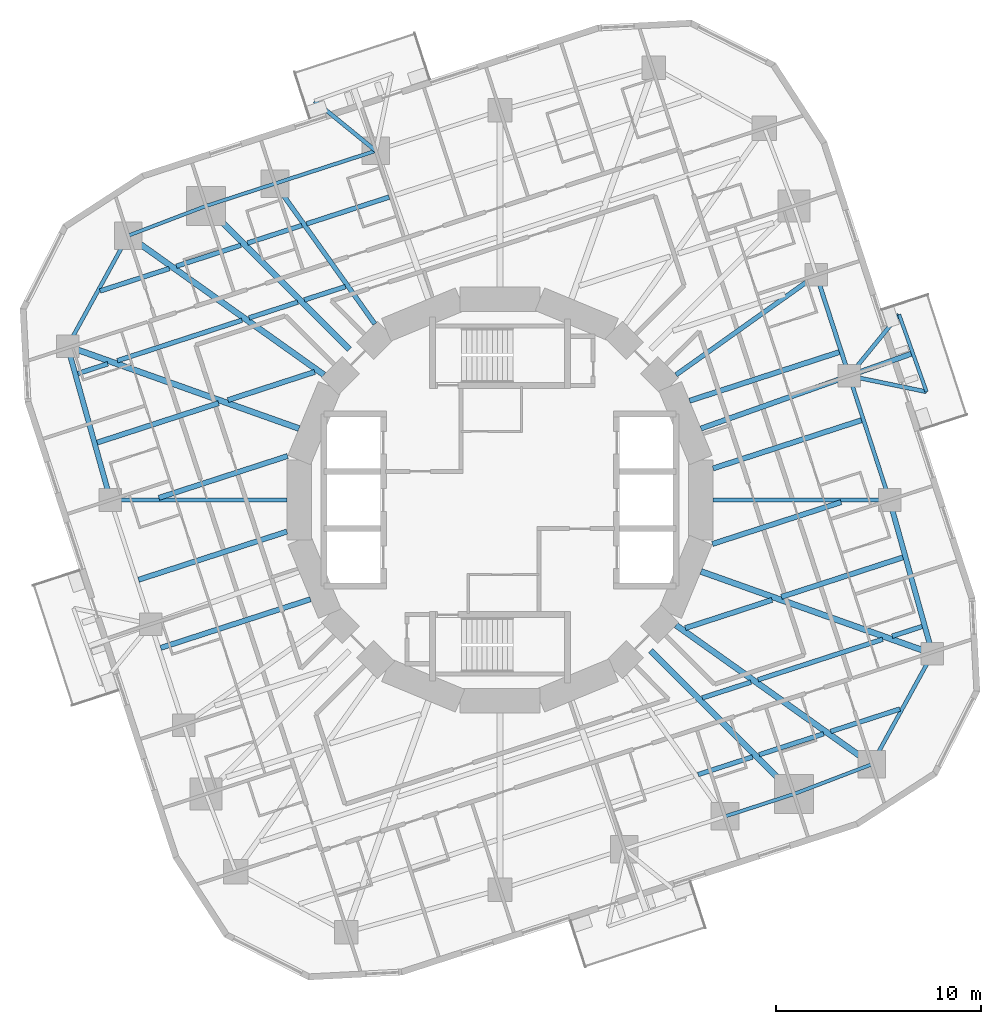
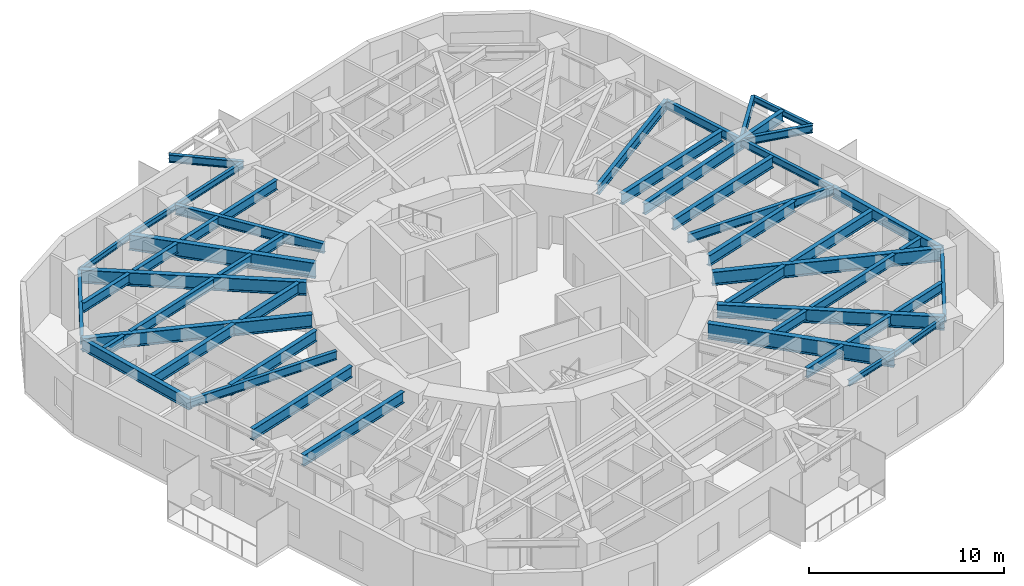
# One storey, part 2 of 12: 50 beams.
"""IFC4 building model written with IfcOpenShell, lengths in metres."""

from ifc_helpers import new_model, si_unit, direction, frame, origin, origin_2d, place, context, subcontext, project, spatial, i_section, extrude, material, material_profile, profile_set, type_object, element, save


model = new_model("IFC4")

# Units and contexts
model_context = context("Model", 3, precision=1e-05, world=origin(), true_north=direction((0.0, 1.0)))
body_context = subcontext(model_context, "Body", "Model", "MODEL_VIEW")
ifc_project = project(units=[si_unit("LENGTHUNIT", "METRE"), si_unit("AREAUNIT", "SQUARE_METRE"), si_unit("VOLUMEUNIT", "CUBIC_METRE"), si_unit("PLANEANGLEUNIT", "RADIAN"), si_unit("MASSUNIT", "GRAM", prefix="KILO")], contexts=[model_context])

# Site, building, storey
site_placement = place(None, origin())
site = spatial("IfcSite", under=ifc_project, at=site_placement, CompositionType="ELEMENT")
building_placement = place(site_placement, origin())
building = spatial("IfcBuilding", under=site, at=building_placement, Name="Nakasero Lantern House", CompositionType="ELEMENT")
storey_placement = place(building_placement, frame((0.0, 0.0, 168.75)))
storey = spatial("IfcBuildingStorey", under=building, at=storey_placement, Name="L41", CompositionType="ELEMENT", Elevation=168.75)

# Beams
ifc_material_1 = material(Name="Steel S355", Category="steel")
ifc_material_profile_1 = material_profile(ifc_material_1, i_section(OverallWidth=0.199462890625, OverallDepth=0.491943359375, WebThickness=0.01806640625, FlangeThickness=0.031982421875, FilletRadius=0.01025390625, at=origin_2d()), Name="UB 457x191x161")
ifc_profile_set_1 = profile_set([ifc_material_profile_1], Name="Steel S355")
beam_type_1 = type_object("IfcBeamType", Name="Balcony splay beam UB 457x191x161", PredefinedType="BEAM", material=ifc_profile_set_1)
for number, where, z_axis, x_axis, name in (
    (1, (17.060546875, 6.06591796875, 3.404052734375), (0.632127727159, 0.774864205236, 0.0), (-0.774864205236, 0.632127727159, 0.0), "Balcony splay beam L42 B4-C04A"),
    (2, (17.060546875, 6.06591796875, 3.404052734375), (0.979420272605, -0.201831438605, 0.0), (0.201831438605, 0.979420272605, 0.0), "Balcony splay beam L42 B4-C04B"),
    (3, (-6.06591796875, 17.060546875, 3.404052734375), (-0.774864205236, 0.632127727159, 0.0), (-0.632127727159, -0.774864205236, 0.0), "Balcony splay beam L42 B4-C10A"),
):
    element("IfcBeam", number, at=place(storey_placement, frame(where, z_axis=z_axis, x_axis=x_axis)), inside=storey, type_object=beam_type_1, Name=name, PredefinedType="BEAM", context=body_context, shape_type="SweptSolid", body=[
        extrude(i_section(OverallWidth=0.199462890625, OverallDepth=0.491943359375, WebThickness=0.01806640625, FlangeThickness=0.031982421875, FilletRadius=0.01025390625, at=origin_2d()), origin(), (0.0, 0.0, 1.0), 3.858642578125),
    ])
ifc_material_2 = material(Name="Steel S355", Category="steel")
ifc_material_profile_2 = material_profile(ifc_material_2, i_section(OverallWidth=0.17138671875, OverallDepth=0.35498046875, WebThickness=0.00732421875, FlangeThickness=0.011474609375, FilletRadius=0.01025390625, at=origin_2d()), Name="UB 356x171x51")
ifc_profile_set_2 = profile_set([ifc_material_profile_2], Name="Steel S355")
beam_type_2 = type_object("IfcBeamType", Name="Balcony tie beam UB 356x171x51", PredefinedType="BEAM", material=ifc_profile_set_2)
beam_1_placement = place(storey_placement, frame((19.499755859375, 9.055908203125, 3.472412109375), z_axis=(0.335025321236, -0.942209124415, 0.0), x_axis=(0.942209124415, 0.335025321236, 0.0)))
element("IfcBeam", 4, at=beam_1_placement, inside=storey, type_object=beam_type_2, Name="Balcony tie beam L42 B4-C04", PredefinedType="BEAM", context=body_context, shape_type="SweptSolid", body=[
    extrude(i_section(OverallWidth=0.17138671875, OverallDepth=0.35498046875, WebThickness=0.00732421875, FlangeThickness=0.011474609375, FilletRadius=0.01025390625, at=origin_2d()), origin(), (0.0, 0.0, 1.0), 4.0),
])
ifc_material_3 = material(Name="Steel S355", Category="steel")
ifc_material_profile_3 = material_profile(ifc_material_3, i_section(OverallWidth=0.22900390625, OverallDepth=0.6123046875, WebThickness=0.011962890625, FlangeThickness=0.01953125, FilletRadius=0.0126953125, at=origin_2d()), Name="UB 610x229x125")
ifc_profile_set_3 = profile_set([ifc_material_profile_3], Name="Steel S355")
beam_type_3 = type_object("IfcBeamType", Name="Infill beam UB 610x229x125", PredefinedType="JOIST", material=ifc_profile_set_3)
beam_2_placement = place(storey_placement, frame((9.68017578125, -13.415283203125, 3.343994140625), z_axis=(0.951048827377, 0.309040657431, 0.0), x_axis=(-0.309040657431, 0.951048827377, 0.0)))
element("IfcBeam", 5, at=beam_2_placement, inside=storey, type_object=beam_type_3, Name="Infill beam L42 03.5", PredefinedType="JOIST", context=body_context, shape_type="SweptSolid", body=[
    extrude(i_section(OverallWidth=0.22900390625, OverallDepth=0.6123046875, WebThickness=0.011962890625, FlangeThickness=0.01953125, FilletRadius=0.0126953125, at=origin_2d()), origin(), (0.0, 0.0, 1.0), 2.7958984375),
])
beam_3_placement = place(storey_placement, frame((12.659423828125, -12.447265625, 3.343994140625), z_axis=(0.951057343237, 0.309014449297, 0.0), x_axis=(-0.309014449297, 0.951057343237, 0.0)))
element("IfcBeam", 6, at=beam_3_placement, inside=storey, type_object=beam_type_3, Name="Infill beam L42 03.6", PredefinedType="JOIST", context=body_context, shape_type="SweptSolid", body=[
    extrude(i_section(OverallWidth=0.22900390625, OverallDepth=0.6123046875, WebThickness=0.011962890625, FlangeThickness=0.01953125, FilletRadius=0.0126953125, at=origin_2d()), origin(), (0.0, 0.0, 1.0), 3.314208984375),
])
beam_4_placement = place(storey_placement, frame((16.15771484375, -11.310546875, 3.343994140625), z_axis=(0.951052231022, 0.309030182777, 0.0), x_axis=(-0.309030182777, 0.951052231022, 0.0)))
element("IfcBeam", 7, at=beam_4_placement, inside=storey, type_object=beam_type_3, Name="Infill beam L42 03.7", PredefinedType="JOIST", context=body_context, shape_type="SweptSolid", body=[
    extrude(i_section(OverallWidth=0.22900390625, OverallDepth=0.6123046875, WebThickness=0.011962890625, FlangeThickness=0.01953125, FilletRadius=0.0126953125, at=origin_2d()), origin(), (0.0, 0.0, 1.0), 3.555908203125),
])
beam_5_placement = place(storey_placement, frame((9.8818359375, -9.669677734375, 3.343994140625), z_axis=(0.95105846813, 0.30901098718, 0.0), x_axis=(-0.30901098718, 0.95105846813, 0.0)))
element("IfcBeam", 8, at=beam_5_placement, inside=storey, type_object=beam_type_3, Name="Infill beam L42 04.6", PredefinedType="JOIST", context=body_context, shape_type="SweptSolid", body=[
    extrude(i_section(OverallWidth=0.22900390625, OverallDepth=0.6123046875, WebThickness=0.011962890625, FlangeThickness=0.01953125, FilletRadius=0.0126953125, at=origin_2d()), origin(), (0.0, 0.0, 1.0), 2.499755859375),
])
beam_6_placement = place(storey_placement, frame((12.605712890625, -8.78466796875, 3.343994140625), z_axis=(0.951048625867, 0.309041277561, 0.0), x_axis=(-0.309041277561, 0.951048625867, 0.0)))
element("IfcBeam", 9, at=beam_6_placement, inside=storey, type_object=beam_type_3, Name="Infill beam L42 04.7", PredefinedType="JOIST", context=body_context, shape_type="SweptSolid", body=[
    extrude(i_section(OverallWidth=0.22900390625, OverallDepth=0.6123046875, WebThickness=0.011962890625, FlangeThickness=0.01953125, FilletRadius=0.0126953125, at=origin_2d()), origin(), (0.0, 0.0, 1.0), 6.408447265625),
])
for number, where, z_axis, x_axis, name in (
    (10, (19.156494140625, -6.656005859375, 3.343994140625), (0.951091008976, 0.308910816652, 0.0), (-0.308910816652, 0.951091008976, 0.0), "Infill beam L42 04.8"),
    (11, (-20.62451171875, 6.17919921875, 3.343994140625), (0.951091008976, 0.308910816652, 0.0), (-0.308910816652, 0.951091008976, 0.0), "Infill beam L42 11.1"),
):
    element("IfcBeam", number, at=place(storey_placement, frame(where, z_axis=z_axis, x_axis=x_axis)), inside=storey, type_object=beam_type_3, Name=name, PredefinedType="JOIST", context=body_context, shape_type="SweptSolid", body=[
        extrude(i_section(OverallWidth=0.22900390625, OverallDepth=0.6123046875, WebThickness=0.011962890625, FlangeThickness=0.01953125, FilletRadius=0.0126953125, at=origin_2d()), origin(), (0.0, 0.0, 1.0), 1.54345703125),
    ])
beam_7_placement = place(storey_placement, frame((-18.700439453125, 6.80419921875, 3.343994140625), z_axis=(0.951048625867, 0.309041277561, 0.0), x_axis=(-0.309041277561, 0.951048625867, 0.0)))
element("IfcBeam", 12, at=beam_7_placement, inside=storey, type_object=beam_type_3, Name="Infill beam L42 11.2", PredefinedType="JOIST", context=body_context, shape_type="SweptSolid", body=[
    extrude(i_section(OverallWidth=0.22900390625, OverallDepth=0.6123046875, WebThickness=0.011962890625, FlangeThickness=0.01953125, FilletRadius=0.0126953125, at=origin_2d()), origin(), (0.0, 0.0, 1.0), 6.408447265625),
])
beam_8_placement = place(storey_placement, frame((-12.25927734375, 8.897216796875, 3.343994140625), z_axis=(0.95105846813, 0.30901098718, 0.0), x_axis=(-0.30901098718, 0.95105846813, 0.0)))
element("IfcBeam", 13, at=beam_8_placement, inside=storey, type_object=beam_type_3, Name="Infill beam L42 11.3", PredefinedType="JOIST", context=body_context, shape_type="SweptSolid", body=[
    extrude(i_section(OverallWidth=0.22900390625, OverallDepth=0.6123046875, WebThickness=0.011962890625, FlangeThickness=0.01953125, FilletRadius=0.0126953125, at=origin_2d()), origin(), (0.0, 0.0, 1.0), 2.499755859375),
])
beam_9_placement = place(storey_placement, frame((-9.5615234375, 9.773681640625, 3.343994140625), z_axis=(0.951062120034, 0.308999747307, 0.0), x_axis=(-0.308999747307, 0.951062120034, 0.0)))
element("IfcBeam", 14, at=beam_9_placement, inside=storey, type_object=beam_type_3, Name="Infill beam L42 11.4", PredefinedType="JOIST", context=body_context, shape_type="SweptSolid", body=[
    extrude(i_section(OverallWidth=0.22900390625, OverallDepth=0.6123046875, WebThickness=0.011962890625, FlangeThickness=0.01953125, FilletRadius=0.0126953125, at=origin_2d()), origin(), (0.0, 0.0, 1.0), 2.1103515625),
])
beam_10_placement = place(storey_placement, frame((-19.53955078125, 10.211669921875, 3.343994140625), z_axis=(0.951052231022, 0.309030182777, 0.0), x_axis=(-0.309030182777, 0.951052231022, 0.0)))
element("IfcBeam", 15, at=beam_10_placement, inside=storey, type_object=beam_type_3, Name="Infill beam L42 12.1", PredefinedType="JOIST", context=body_context, shape_type="SweptSolid", body=[
    extrude(i_section(OverallWidth=0.22900390625, OverallDepth=0.6123046875, WebThickness=0.011962890625, FlangeThickness=0.01953125, FilletRadius=0.0126953125, at=origin_2d()), origin(), (0.0, 0.0, 1.0), 3.555908203125),
])
beam_11_placement = place(storey_placement, frame((-15.8115234375, 11.423095703125, 3.343994140625), z_axis=(0.951057343237, 0.309014449297, 0.0), x_axis=(-0.309014449297, 0.951057343237, 0.0)))
element("IfcBeam", 16, at=beam_11_placement, inside=storey, type_object=beam_type_3, Name="Infill beam L42 12.2", PredefinedType="JOIST", context=body_context, shape_type="SweptSolid", body=[
    extrude(i_section(OverallWidth=0.22900390625, OverallDepth=0.6123046875, WebThickness=0.011962890625, FlangeThickness=0.01953125, FilletRadius=0.0126953125, at=origin_2d()), origin(), (0.0, 0.0, 1.0), 3.314208984375),
])
beam_12_placement = place(storey_placement, frame((-12.339111328125, 12.55126953125, 3.343994140625), z_axis=(0.951048827377, 0.309040657431, 0.0), x_axis=(-0.309040657431, 0.951048827377, 0.0)))
element("IfcBeam", 17, at=beam_12_placement, inside=storey, type_object=beam_type_3, Name="Infill beam L42 12.3", PredefinedType="JOIST", context=body_context, shape_type="SweptSolid", body=[
    extrude(i_section(OverallWidth=0.22900390625, OverallDepth=0.6123046875, WebThickness=0.011962890625, FlangeThickness=0.01953125, FilletRadius=0.0126953125, at=origin_2d()), origin(), (0.0, 0.0, 1.0), 2.7958984375),
])
beam_13_placement = place(storey_placement, frame((-9.451904296875, 13.489501953125, 3.343994140625), z_axis=(0.951061556317, 0.309001482352, 0.0), x_axis=(-0.309001482352, 0.951061556317, 0.0)))
element("IfcBeam", 18, at=beam_13_placement, inside=storey, type_object=beam_type_3, Name="Infill beam L42 12.4", PredefinedType="JOIST", context=body_context, shape_type="SweptSolid", body=[
    extrude(i_section(OverallWidth=0.22900390625, OverallDepth=0.6123046875, WebThickness=0.011962890625, FlangeThickness=0.01953125, FilletRadius=0.0126953125, at=origin_2d()), origin(), (0.0, 0.0, 1.0), 4.241943359375),
])
ifc_material_4 = material(Name="Steel S355", Category="steel")
ifc_material_profile_4 = material_profile(ifc_material_4, i_section(OverallWidth=0.253662109375, OverallDepth=0.68359375, WebThickness=0.012451171875, FlangeThickness=0.01904296875, FilletRadius=0.01513671875, at=origin_2d()), Name="UB 686x254x140")
ifc_profile_set_4 = profile_set([ifc_material_profile_4], Name="Steel S355")
beam_type_4 = type_object("IfcBeamType", Name="Infill beam UB 686x254x140", PredefinedType="JOIST", material=ifc_profile_set_4)
beam_14_placement = place(storey_placement, frame((9.053466796875, -6.258544921875, 3.308349609375), z_axis=(0.951065863794, 0.308988224251, 0.0), x_axis=(-0.308988224251, 0.951065863794, 0.0)))
element("IfcBeam", 19, at=beam_14_placement, inside=storey, type_object=beam_type_4, Name="Infill beam L42 05.3", PredefinedType="JOIST", context=body_context, shape_type="SweptSolid", body=[
    extrude(i_section(OverallWidth=0.253662109375, OverallDepth=0.68359375, WebThickness=0.012451171875, FlangeThickness=0.01904296875, FilletRadius=0.01513671875, at=origin_2d()), origin(), (0.0, 0.0, 1.0), 4.45703125),
])
beam_15_placement = place(storey_placement, frame((13.74853515625, -4.733154296875, 3.308349609375), z_axis=(0.951054771624, 0.309022363871, 0.0), x_axis=(-0.309022363871, 0.951054771624, 0.0)))
element("IfcBeam", 20, at=beam_15_placement, inside=storey, type_object=beam_type_4, Name="Infill beam L42 05.4", PredefinedType="JOIST", context=body_context, shape_type="SweptSolid", body=[
    extrude(i_section(OverallWidth=0.253662109375, OverallDepth=0.68359375, WebThickness=0.012451171875, FlangeThickness=0.01904296875, FilletRadius=0.01513671875, at=origin_2d()), origin(), (0.0, 0.0, 1.0), 6.239013671875),
])
for number, where, z_axis, x_axis, name in (
    (21, (10.375244140625, -2.149169921875, 3.308349609375), (0.951051425994, 0.309032660271, 0.0), (-0.309032660271, 0.951051425994, 0.0), "Infill beam L42 06.2"),
    (22, (-16.666259765625, 0.10498046875, 3.308349609375), (0.951051425994, 0.309032660271, 0.0), (-0.309032660271, 0.951051425994, 0.0), "Infill beam L42 09.1"),
):
    element("IfcBeam", number, at=place(storey_placement, frame(where, z_axis=z_axis, x_axis=x_axis)), inside=storey, type_object=beam_type_4, Name=name, PredefinedType="JOIST", context=body_context, shape_type="SweptSolid", body=[
        extrude(i_section(OverallWidth=0.253662109375, OverallDepth=0.68359375, WebThickness=0.012451171875, FlangeThickness=0.01904296875, FilletRadius=0.01513671875, at=origin_2d()), origin(), (0.0, 0.0, 1.0), 6.61474609375),
    ])
beam_16_placement = place(storey_placement, frame((-19.68212890625, 2.80517578125, 3.308349609375), z_axis=(0.951054771624, 0.309022363871, 0.0), x_axis=(-0.309022363871, 0.951054771624, 0.0)))
element("IfcBeam", 23, at=beam_16_placement, inside=storey, type_object=beam_type_4, Name="Infill beam L42 10.1", PredefinedType="JOIST", context=body_context, shape_type="SweptSolid", body=[
    extrude(i_section(OverallWidth=0.253662109375, OverallDepth=0.68359375, WebThickness=0.012451171875, FlangeThickness=0.01904296875, FilletRadius=0.01513671875, at=origin_2d()), origin(), (0.0, 0.0, 1.0), 6.239013671875),
])
beam_17_placement = place(storey_placement, frame((-13.29248046875, 4.88134765625, 3.308349609375), z_axis=(0.951065863794, 0.308988224251, 0.0), x_axis=(-0.308988224251, 0.951065863794, 0.0)))
element("IfcBeam", 24, at=beam_17_placement, inside=storey, type_object=beam_type_4, Name="Infill beam L42 10.2", PredefinedType="JOIST", context=body_context, shape_type="SweptSolid", body=[
    extrude(i_section(OverallWidth=0.253662109375, OverallDepth=0.68359375, WebThickness=0.012451171875, FlangeThickness=0.01904296875, FilletRadius=0.01513671875, at=origin_2d()), origin(), (0.0, 0.0, 1.0), 4.45703125),
])
ifc_material_5 = material(Name="Steel S355", Category="steel")
ifc_material_profile_5 = material_profile(ifc_material_5, i_section(OverallWidth=0.255859375, OverallDepth=0.69287109375, WebThickness=0.014404296875, FlangeThickness=0.023681640625, FilletRadius=0.01513671875, at=origin_2d()), Name="UB 686x254x170")
ifc_profile_set_5 = profile_set([ifc_material_profile_5], Name="Steel S355")
beam_type_5 = type_object("IfcBeamType", Name="Infill beam UB 686x254x170", PredefinedType="JOIST", material=ifc_profile_set_5)
beam_18_placement = place(storey_placement, frame((-16.573486328125, -7.22509765625, 3.303466796875), z_axis=(0.951055290106, 0.309020768171, 0.0), x_axis=(-0.309020768171, 0.951055290106, 0.0)))
element("IfcBeam", 25, at=beam_18_placement, inside=storey, type_object=beam_type_5, Name="Infill beam L42 07.1", PredefinedType="JOIST", context=body_context, shape_type="SweptSolid", body=[
    extrude(i_section(OverallWidth=0.255859375, OverallDepth=0.69287109375, WebThickness=0.014404296875, FlangeThickness=0.023681640625, FilletRadius=0.01513671875, at=origin_2d()), origin(), (0.0, 0.0, 1.0), 7.692626953125),
])
for number, where, z_axis, x_axis, name in (
    (26, (10.407958984375, 1.541748046875, 3.303466796875), (0.95106204683, 0.308999972622, 0.0), (-0.308999972622, 0.95106204683, 0.0), "Infill beam L42 07.2"),
    (27, (-17.66455078125, -3.8994140625, 3.303466796875), (0.95106204683, 0.308999972622, 0.0), (-0.308999972622, 0.95106204683, 0.0), "Infill beam L42 08.1"),
):
    element("IfcBeam", number, at=place(storey_placement, frame(where, z_axis=z_axis, x_axis=x_axis)), inside=storey, type_object=beam_type_5, Name=name, PredefinedType="JOIST", context=body_context, shape_type="SweptSolid", body=[
        extrude(i_section(OverallWidth=0.255859375, OverallDepth=0.69287109375, WebThickness=0.014404296875, FlangeThickness=0.023681640625, FilletRadius=0.01513671875, at=origin_2d()), origin(), (0.0, 0.0, 1.0), 7.6298828125),
    ])
beam_19_placement = place(storey_placement, frame((9.25732421875, 4.847900390625, 3.303466796875), z_axis=(0.951055290106, 0.309020768171, 0.0), x_axis=(-0.309020768171, 0.951055290106, 0.0)))
element("IfcBeam", 28, at=beam_19_placement, inside=storey, type_object=beam_type_5, Name="Infill beam L42 08.2", PredefinedType="JOIST", context=body_context, shape_type="SweptSolid", body=[
    extrude(i_section(OverallWidth=0.255859375, OverallDepth=0.69287109375, WebThickness=0.014404296875, FlangeThickness=0.023681640625, FilletRadius=0.01513671875, at=origin_2d()), origin(), (0.0, 0.0, 1.0), 7.692626953125),
])
ifc_material_6 = material(Name="Steel S355", Category="steel")
ifc_material_profile_6 = material_profile(ifc_material_6, i_section(OverallWidth=0.300048828125, OverallDepth=0.97021484375, WebThickness=0.01611328125, FlangeThickness=0.02099609375, FilletRadius=0.030029296875, at=origin_2d()), Name="UB 1016x305x222")
ifc_profile_set_6 = profile_set([ifc_material_profile_6], Name="Steel S355")
beam_type_6 = type_object("IfcBeamType", Name="Primary beam UB 1016x305x222, span 9 to 12 m", PredefinedType="BEAM", material=ifc_profile_set_6)
for number, where, z_axis, x_axis, name in (
    (29, (-14.3642578125, 14.3642578125, 3.164794921875), (0.707106781187, -0.707106781187, 0.0), (0.707106781187, 0.707106781187, 0.0), "Primary beam L42 B4-C12"),
    (30, (14.3642578125, -14.3642578125, 3.164794921875), (-0.707106781187, 0.707106781187, 0.0), (-0.707106781187, -0.707106781187, 0.0), "Primary beam L42 B4-C24"),
):
    element("IfcBeam", number, at=place(storey_placement, frame(where, z_axis=z_axis, x_axis=x_axis)), inside=storey, type_object=beam_type_6, Name=name, PredefinedType="BEAM", context=body_context, shape_type="SweptSolid", body=[
        extrude(i_section(OverallWidth=0.300048828125, OverallDepth=0.97021484375, WebThickness=0.01611328125, FlangeThickness=0.02099609375, FilletRadius=0.030029296875, at=origin_2d()), origin(), (0.0, 0.0, 1.0), 9.906494140625),
    ])
ifc_material_7 = material(Name="Steel S355", Category="steel")
ifc_material_profile_7 = material_profile(ifc_material_7, i_section(OverallWidth=0.2099609375, OverallDepth=0.53662109375, WebThickness=0.0107421875, FlangeThickness=0.017333984375, FilletRadius=0.0126953125, at=origin_2d()), Name="UB 533x210x101")
ifc_profile_set_7 = profile_set([ifc_material_profile_7], Name="Steel S355")
beam_type_7 = type_object("IfcBeamType", Name="Primary beam UB 533x210x101, span 6 to 9 m", PredefinedType="BEAM", material=ifc_profile_set_7)
for number, where, z_axis, x_axis, name in (
    (31, (19.031494140625, 0.0, 3.381591796875), (-1.0, 0.0, 0.0), (0.0, -1.0, 0.0), "Primary beam L42 B4-C03"),
    (32, (-19.031494140625, 0.0, 3.381591796875), (1.0, 0.0, 0.0), (0.0, 1.0, 0.0), "Primary beam L42 B4-C15"),
):
    element("IfcBeam", number, at=place(storey_placement, frame(where, z_axis=z_axis, x_axis=x_axis)), inside=storey, type_object=beam_type_7, Name=name, PredefinedType="BEAM", context=body_context, shape_type="SweptSolid", body=[
        extrude(i_section(OverallWidth=0.2099609375, OverallDepth=0.53662109375, WebThickness=0.0107421875, FlangeThickness=0.017333984375, FilletRadius=0.0126953125, at=origin_2d()), origin(), (0.0, 0.0, 1.0), 8.62353515625),
    ])
ifc_material_8 = material(Name="Steel S355", Category="steel")
ifc_material_profile_8 = material_profile(ifc_material_8, i_section(OverallWidth=0.22900390625, OverallDepth=0.6123046875, WebThickness=0.011962890625, FlangeThickness=0.01953125, FilletRadius=0.0126953125, at=origin_2d()), Name="UB 610x229x125")
ifc_profile_set_8 = profile_set([ifc_material_profile_8], Name="Steel S355")
beam_type_8 = type_object("IfcBeamType", Name="Primary beam UB 610x229x125, span 6 to 9 m", PredefinedType="BEAM", material=ifc_profile_set_8)
for number, where, z_axis, x_axis, name in (
    (33, (15.45947265625, 10.993408203125, 3.343994140625), (-0.81495106139, -0.579529781409, 0.0), (0.579529781409, -0.81495106139, 0.0), "Primary beam L42 B4-C05"),
    (34, (-10.993408203125, 15.45947265625, 3.343994140625), (0.579529781409, -0.81495106139, 0.0), (0.81495106139, 0.579529781409, 0.0), "Primary beam L42 B4-C11"),
):
    element("IfcBeam", number, at=place(storey_placement, frame(where, z_axis=z_axis, x_axis=x_axis)), inside=storey, type_object=beam_type_8, Name=name, PredefinedType="BEAM", context=body_context, shape_type="SweptSolid", body=[
        extrude(i_section(OverallWidth=0.22900390625, OverallDepth=0.6123046875, WebThickness=0.011962890625, FlangeThickness=0.01953125, FilletRadius=0.0126953125, at=origin_2d()), origin(), (0.0, 0.0, 1.0), 8.41455078125),
    ])
ifc_material_9 = material(Name="Steel S355", Category="steel")
ifc_material_profile_9 = material_profile(ifc_material_9, i_section(OverallWidth=0.253662109375, OverallDepth=0.68359375, WebThickness=0.012451171875, FlangeThickness=0.01904296875, FilletRadius=0.01513671875, at=origin_2d()), Name="UB 686x254x140")
ifc_profile_set_9 = profile_set([ifc_material_profile_9], Name="Steel S355")
beam_type_9 = type_object("IfcBeamType", Name="Primary beam UB 686x254x140, span 6 to 9 m", PredefinedType="BEAM", material=ifc_profile_set_9)
beam_20_placement = place(storey_placement, frame((20.169921875, 7.17138671875, 3.308349609375), z_axis=(-0.942215625619, -0.335007036998, 0.0), x_axis=(0.335007036998, -0.942215625619, 0.0)))
element("IfcBeam", 35, at=beam_20_placement, inside=storey, type_object=beam_type_9, Name="Primary beam L42 B4-C04", PredefinedType="BEAM", context=body_context, shape_type="SweptSolid", body=[
    extrude(i_section(OverallWidth=0.253662109375, OverallDepth=0.68359375, WebThickness=0.012451171875, FlangeThickness=0.01904296875, FilletRadius=0.01513671875, at=origin_2d()), origin(), (0.0, 0.0, 1.0), 10.9853515625),
])
ifc_material_10 = material(Name="Steel S355", Category="steel")
ifc_material_profile_10 = material_profile(ifc_material_10, i_section(OverallWidth=0.29248046875, OverallDepth=0.8408203125, WebThickness=0.0146484375, FlangeThickness=0.02685546875, FilletRadius=0.017822265625, at=origin_2d()), Name="UB 838x292x194")
ifc_profile_set_10 = profile_set([ifc_material_profile_10], Name="Steel S355")
beam_type_10 = type_object("IfcBeamType", Name="Primary beam UB 838x292x194, span 12 to 15 m", PredefinedType="BEAM", material=ifc_profile_set_10)
for number, where, z_axis, x_axis, name in (
    (36, (21.129638671875, -7.5126953125, 3.229736328125), (-0.942213548974, 0.335012877559, 0.0), (-0.335012877559, -0.942213548974, 0.0), "Primary beam L42 B4-C02"),
    (37, (-21.129638671875, 7.5126953125, 3.229736328125), (0.942213548974, -0.335012877559, 0.0), (0.335012877559, 0.942213548974, 0.0), "Primary beam L42 B4-C14"),
):
    element("IfcBeam", number, at=place(storey_placement, frame(where, z_axis=z_axis, x_axis=x_axis)), inside=storey, type_object=beam_type_10, Name=name, PredefinedType="BEAM", context=body_context, shape_type="SweptSolid", body=[
        extrude(i_section(OverallWidth=0.29248046875, OverallDepth=0.8408203125, WebThickness=0.0146484375, FlangeThickness=0.02685546875, FilletRadius=0.017822265625, at=origin_2d()), origin(), (0.0, 0.0, 1.0), 12.00390625),
    ])
ifc_material_11 = material(Name="Steel S355", Category="steel")
ifc_material_profile_11 = material_profile(ifc_material_11, i_section(OverallWidth=0.29248046875, OverallDepth=0.8408203125, WebThickness=0.0146484375, FlangeThickness=0.02685546875, FilletRadius=0.017822265625, at=origin_2d()), Name="UB 838x292x194")
ifc_profile_set_11 = profile_set([ifc_material_profile_11], Name="Steel S355")
beam_type_11 = type_object("IfcBeamType", Name="Primary beam UB 838x292x194, span 9 to 12 m", PredefinedType="BEAM", material=ifc_profile_set_11)
for number, where, z_axis, x_axis, name in (
    (38, (18.1630859375, -12.916015625, 3.229736328125), (-0.814950738075, 0.579530236062, 0.0), (-0.579530236062, -0.814950738075, 0.0), "Primary beam L42 B4-C01"),
    (39, (-18.1630859375, 12.916015625, 3.229736328125), (0.814950738075, -0.579530236062, 0.0), (0.579530236062, 0.814950738075, 0.0), "Primary beam L42 B4-C13"),
):
    element("IfcBeam", number, at=place(storey_placement, frame(where, z_axis=z_axis, x_axis=x_axis)), inside=storey, type_object=beam_type_11, Name=name, PredefinedType="BEAM", context=body_context, shape_type="SweptSolid", body=[
        extrude(i_section(OverallWidth=0.29248046875, OverallDepth=0.8408203125, WebThickness=0.0146484375, FlangeThickness=0.02685546875, FilletRadius=0.017822265625, at=origin_2d()), origin(), (0.0, 0.0, 1.0), 11.73193359375),
    ])
ifc_material_12 = material(Name="Steel S355", Category="steel")
ifc_material_profile_12 = material_profile(ifc_material_12, i_section(OverallWidth=0.17138671875, OverallDepth=0.35498046875, WebThickness=0.00732421875, FlangeThickness=0.011474609375, FilletRadius=0.01025390625, at=origin_2d()), Name="UB 356x171x51")
ifc_profile_set_12 = profile_set([ifc_material_profile_12], Name="Steel S355")
beam_type_12 = type_object("IfcBeamType", Name="Ring beam UB 356x171x51", PredefinedType="BEAM", material=ifc_profile_set_12)
beam_21_placement = place(storey_placement, frame((-10.993408203125, 15.45947265625, 3.472412109375), z_axis=(-0.951059881727, -0.309006636447, 0.0), x_axis=(0.309006636447, -0.951059881727, 0.0)))
element("IfcBeam", 40, at=beam_21_placement, inside=storey, type_object=beam_type_12, Name="Ring beam L42 B4-C11", PredefinedType="BEAM", context=body_context, shape_type="SweptSolid", body=[
    extrude(i_section(OverallWidth=0.17138671875, OverallDepth=0.35498046875, WebThickness=0.00732421875, FlangeThickness=0.011474609375, FilletRadius=0.01025390625, at=origin_2d()), origin(), (0.0, 0.0, 1.0), 3.544189453125),
])
beam_22_placement = place(storey_placement, frame((-14.3642578125, 14.3642578125, 3.472412109375), z_axis=(-0.934400186194, -0.35622505813, 0.0), x_axis=(0.35622505813, -0.934400186194, 0.0)))
element("IfcBeam", 41, at=beam_22_placement, inside=storey, type_object=beam_type_12, Name="Ring beam L42 B4-C12", PredefinedType="BEAM", context=body_context, shape_type="SweptSolid", body=[
    extrude(i_section(OverallWidth=0.17138671875, OverallDepth=0.35498046875, WebThickness=0.00732421875, FlangeThickness=0.011474609375, FilletRadius=0.01025390625, at=origin_2d()), origin(), (0.0, 0.0, 1.0), 4.0654296875),
])
beam_23_placement = place(storey_placement, frame((10.993408203125, -15.45947265625, 3.472412109375), z_axis=(0.951059881727, 0.309006636447, 0.0), x_axis=(-0.309006636447, 0.951059881727, 0.0)))
element("IfcBeam", 42, at=beam_23_placement, inside=storey, type_object=beam_type_12, Name="Ring beam L42 B4-C23", PredefinedType="BEAM", context=body_context, shape_type="SweptSolid", body=[
    extrude(i_section(OverallWidth=0.17138671875, OverallDepth=0.35498046875, WebThickness=0.00732421875, FlangeThickness=0.011474609375, FilletRadius=0.01025390625, at=origin_2d()), origin(), (0.0, 0.0, 1.0), 3.544189453125),
])
beam_24_placement = place(storey_placement, frame((14.3642578125, -14.3642578125, 3.472412109375), z_axis=(0.934400186194, 0.35622505813, 0.0), x_axis=(-0.35622505813, 0.934400186194, 0.0)))
element("IfcBeam", 43, at=beam_24_placement, inside=storey, type_object=beam_type_12, Name="Ring beam L42 B4-C24", PredefinedType="BEAM", context=body_context, shape_type="SweptSolid", body=[
    extrude(i_section(OverallWidth=0.17138671875, OverallDepth=0.35498046875, WebThickness=0.00732421875, FlangeThickness=0.011474609375, FilletRadius=0.01025390625, at=origin_2d()), origin(), (0.0, 0.0, 1.0), 4.0654296875),
])
ifc_material_13 = material(Name="Steel S355", Category="steel")
ifc_material_profile_13 = material_profile(ifc_material_13, i_section(OverallWidth=0.177978515625, OverallDepth=0.406494140625, WebThickness=0.0078125, FlangeThickness=0.0126953125, FilletRadius=0.01025390625, at=origin_2d()), Name="UB 406x178x60")
ifc_profile_set_13 = profile_set([ifc_material_profile_13], Name="Steel S355")
beam_type_13 = type_object("IfcBeamType", Name="Ring beam UB 406x178x60", PredefinedType="BEAM", material=ifc_profile_set_13)
beam_25_placement = place(storey_placement, frame((-6.06591796875, 17.060546875, 3.44677734375), z_axis=(-0.95105449754, -0.309023207396, 0.0), x_axis=(0.309023207396, -0.95105449754, 0.0)))
element("IfcBeam", 44, at=beam_25_placement, inside=storey, type_object=beam_type_13, Name="Ring beam L42 B4-C10", PredefinedType="BEAM", context=body_context, shape_type="SweptSolid", body=[
    extrude(i_section(OverallWidth=0.177978515625, OverallDepth=0.406494140625, WebThickness=0.0078125, FlangeThickness=0.0126953125, FilletRadius=0.01025390625, at=origin_2d()), origin(), (0.0, 0.0, 1.0), 5.18115234375),
])
ifc_material_14 = material(Name="Steel S355", Category="steel")
ifc_material_profile_14 = material_profile(ifc_material_14, i_section(OverallWidth=0.18994140625, OverallDepth=0.453369140625, WebThickness=0.008544921875, FlangeThickness=0.0126953125, FilletRadius=0.01025390625, at=origin_2d()), Name="UB 457x191x67")
ifc_profile_set_14 = profile_set([ifc_material_profile_14], Name="Steel S355")
beam_type_14 = type_object("IfcBeamType", Name="Ring beam UB 457x191x67", PredefinedType="BEAM", material=ifc_profile_set_14)
beam_26_placement = place(storey_placement, frame((18.1630859375, -12.916015625, 3.42333984375), z_axis=(0.481261795861, 0.876576912681, 0.0), x_axis=(-0.876576912681, 0.481261795861, 0.0)))
element("IfcBeam", 45, at=beam_26_placement, inside=storey, type_object=beam_type_14, Name="Ring beam L42 B4-C01", PredefinedType="BEAM", context=body_context, shape_type="SweptSolid", body=[
    extrude(i_section(OverallWidth=0.18994140625, OverallDepth=0.453369140625, WebThickness=0.008544921875, FlangeThickness=0.0126953125, FilletRadius=0.01025390625, at=origin_2d()), origin(), (0.0, 0.0, 1.0), 6.1640625),
])
beam_27_placement = place(storey_placement, frame((19.031494140625, 0.0, 3.42333984375), z_axis=(-0.309018560274, 0.951056007502, 0.0), x_axis=(-0.951056007502, -0.309018560274, 0.0)))
element("IfcBeam", 46, at=beam_27_placement, inside=storey, type_object=beam_type_14, Name="Ring beam L42 B4-C03", PredefinedType="BEAM", context=body_context, shape_type="SweptSolid", body=[
    extrude(i_section(OverallWidth=0.18994140625, OverallDepth=0.453369140625, WebThickness=0.008544921875, FlangeThickness=0.0126953125, FilletRadius=0.01025390625, at=origin_2d()), origin(), (0.0, 0.0, 1.0), 6.378173828125),
])
beam_28_placement = place(storey_placement, frame((-18.1630859375, 12.916015625, 3.42333984375), z_axis=(-0.481261795861, -0.876576912681, 0.0), x_axis=(0.876576912681, -0.481261795861, 0.0)))
element("IfcBeam", 47, at=beam_28_placement, inside=storey, type_object=beam_type_14, Name="Ring beam L42 B4-C13", PredefinedType="BEAM", context=body_context, shape_type="SweptSolid", body=[
    extrude(i_section(OverallWidth=0.18994140625, OverallDepth=0.453369140625, WebThickness=0.008544921875, FlangeThickness=0.0126953125, FilletRadius=0.01025390625, at=origin_2d()), origin(), (0.0, 0.0, 1.0), 6.1640625),
])
ifc_material_15 = material(Name="Steel S355", Category="steel")
ifc_material_profile_15 = material_profile(ifc_material_15, i_section(OverallWidth=0.2099609375, OverallDepth=0.53662109375, WebThickness=0.0107421875, FlangeThickness=0.017333984375, FilletRadius=0.0126953125, at=origin_2d()), Name="UB 533x210x101")
ifc_profile_set_15 = profile_set([ifc_material_profile_15], Name="Steel S355")
beam_type_15 = type_object("IfcBeamType", Name="Ring beam UB 533x210x101", PredefinedType="BEAM", material=ifc_profile_set_15)
beam_29_placement = place(storey_placement, frame((17.060546875, 6.06591796875, 3.381591796875), z_axis=(-0.309023207396, 0.95105449754, 0.0), x_axis=(-0.95105449754, -0.309023207396, 0.0)))
element("IfcBeam", 48, at=beam_29_placement, inside=storey, type_object=beam_type_15, Name="Ring beam L42 B4-C04", PredefinedType="BEAM", context=body_context, shape_type="SweptSolid", body=[
    extrude(i_section(OverallWidth=0.2099609375, OverallDepth=0.53662109375, WebThickness=0.0107421875, FlangeThickness=0.017333984375, FilletRadius=0.0126953125, at=origin_2d()), origin(), (0.0, 0.0, 1.0), 5.18115234375),
])
ifc_material_16 = material(Name="Steel S355", Category="steel")
ifc_material_profile_16 = material_profile(ifc_material_16, i_section(OverallWidth=0.255859375, OverallDepth=0.69287109375, WebThickness=0.014404296875, FlangeThickness=0.023681640625, FilletRadius=0.01513671875, at=origin_2d()), Name="UB 686x254x170")
ifc_profile_set_16 = profile_set([ifc_material_profile_16], Name="Steel S355")
beam_type_16 = type_object("IfcBeamType", Name="Ring beam UB 686x254x170", PredefinedType="BEAM", material=ifc_profile_set_16)
for number, where, z_axis, x_axis, name in (
    (49, (21.129638671875, -7.5126953125, 3.303466796875), (-0.268986696047, 0.963143892339, 0.0), (-0.963143892339, -0.268986696047, 0.0), "Ring beam L42 B4-C02"),
    (50, (-21.129638671875, 7.5126953125, 3.303466796875), (0.268986696047, -0.963143892339, 0.0), (0.963143892339, 0.268986696047, 0.0), "Ring beam L42 B4-C14"),
):
    element("IfcBeam", number, at=place(storey_placement, frame(where, z_axis=z_axis, x_axis=x_axis)), inside=storey, type_object=beam_type_16, Name=name, PredefinedType="BEAM", context=body_context, shape_type="SweptSolid", body=[
        extrude(i_section(OverallWidth=0.255859375, OverallDepth=0.69287109375, WebThickness=0.014404296875, FlangeThickness=0.023681640625, FilletRadius=0.01513671875, at=origin_2d()), origin(), (0.0, 0.0, 1.0), 7.80029296875),
    ])

save(model, "model.ifc")
